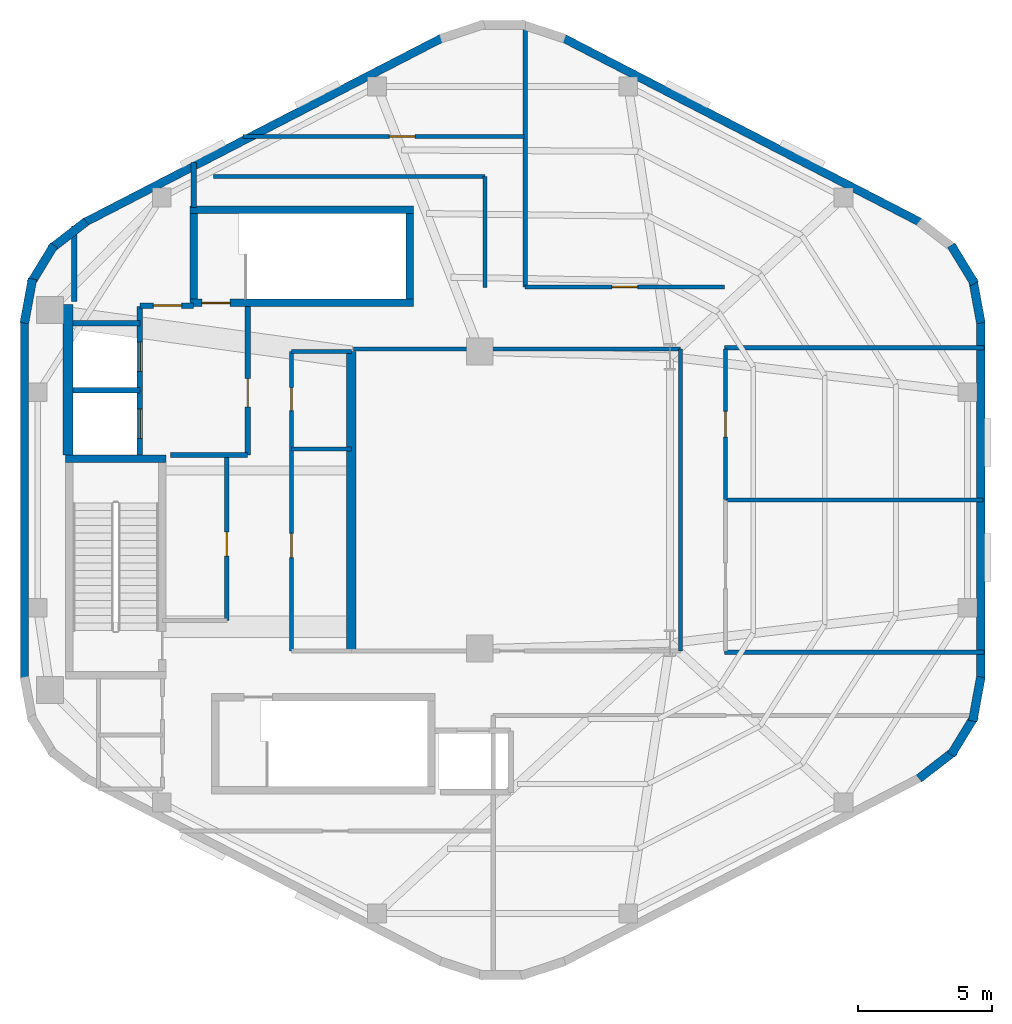
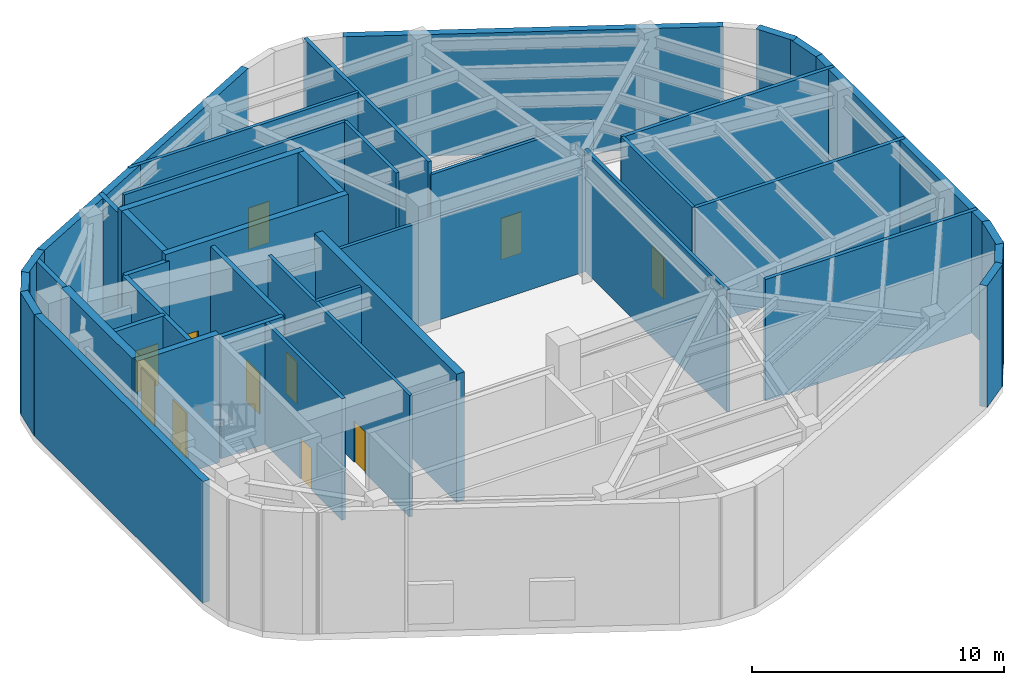
# One storey, part 3 of 5: 42 walls, 11 doors, 11 openings.
"""IFC4 building model written with IfcOpenShell, lengths in metres."""

from ifc_helpers import new_model, si_unit, direction, frame, frame_2d, origin, place, context, subcontext, project, spatial, rectangle, extrude, material, layer, layer_set, type_object, element, fill, save


model = new_model("IFC4")

# Units and contexts
model_context = context("Model", 3, precision=1e-05, world=origin(), true_north=direction((0.0, 1.0)))
body_context = subcontext(model_context, "Body", "Model", "MODEL_VIEW")
ifc_project = project(units=[si_unit("LENGTHUNIT", "METRE"), si_unit("AREAUNIT", "SQUARE_METRE"), si_unit("VOLUMEUNIT", "CUBIC_METRE"), si_unit("PLANEANGLEUNIT", "RADIAN"), si_unit("MASSUNIT", "GRAM", prefix="KILO"), si_unit("THERMODYNAMICTEMPERATUREUNIT", "KELVIN"), si_unit("POWERUNIT", "WATT")], contexts=[model_context])

# Site, building, storey
site_placement = place(None, origin())
site = spatial("IfcSite", under=ifc_project, at=site_placement, CompositionType="ELEMENT")
building_placement = place(site_placement, origin())
building = spatial("IfcBuilding", under=site, at=building_placement, Name="Skarre Station Tower", CompositionType="ELEMENT")
storey_placement = place(building_placement, frame((0.0, 0.0, 285.10009765625)))
storey = spatial("IfcBuildingStorey", under=building, at=storey_placement, Name="L77", CompositionType="ELEMENT", Elevation=285.10009765625)

# Wall, opening, door
ifc_material_1 = material(Name="Acoustic Steel-Stud Gypsum Partition", Category="steel")
ifc_layer_1 = layer(ifc_material_1, 0.14990234375, Name="Acoustic Steel-Stud Gypsum Partition")
ifc_layer_set_1 = layer_set([ifc_layer_1], Name="Acoustic Steel-Stud Gypsum Partition")
wall_type_1 = type_object("IfcWallType", Name="Fire-Rated Corridor Acoustic Partition 150", PredefinedType="PARTITIONING", material=ifc_layer_set_1)
wall_1_placement = place(storey_placement, frame((22.89990234375, 19.5, 0.0), z_axis=(0.0, 0.0, 1.0), x_axis=(0.0, 1.0, 0.0)))
wall_1 = element("IfcWall", 1, at=wall_1_placement, inside=storey, type_object=wall_type_1, Name="L77 Interior Partition WL-PT-L77-B3-E", PredefinedType="PARTITIONING", context=body_context, shape_type="SweptSolid", body=[
    extrude(rectangle(XDim=6.10009765625, YDim=0.159912109375, at=frame_2d((3.050048828125, 0.0))), origin(), (0.0, 0.0, 1.0), 5.8798828125),
])
opening_1_placement = place(wall_1_placement, frame((2.39990234375, 0.0, 0.0)))
opening_1 = element("IfcOpeningElement", 2, at=opening_1_placement, cuts=wall_1, Name="Opening DR-SVC90", PredefinedType="OPENING", context=body_context, shape_type="SweptSolid", body=[
    extrude(rectangle(XDim=0.89990234375, YDim=2.0, at=frame_2d((0.449951171875, 1.0))), frame((0.0, 0.08984375, 0.0), z_axis=(0.0, -1.0, 0.0), x_axis=(1.0, 0.0, 0.0)), (0.0, 0.0, 1.0), 0.179931640625),
])
ifc_material_2 = material(Name="Powder-Coated Hollow-Metal Acoustic Fire Leaf", Category="steel")
door_type_1 = type_object("IfcDoorType", Name="Service & Riser Fire Door FD60 900x2100", OperationType="SINGLE_SWING_LEFT", PredefinedType="DOOR", material=ifc_material_2)
door_1_placement = place(opening_1_placement, origin())
door_1 = element("IfcDoor", 3, at=door_1_placement, inside=storey, type_object=door_type_1, Name="L77 Observatory Pantry Door", OperationType="SINGLE_SWING_RIGHT", OverallHeight=2.0, OverallWidth=0.89990234375, PredefinedType="DOOR", context=body_context, shape_type="SweptSolid", body=[
    extrude(rectangle(XDim=0.89990234375, YDim=2.0, at=frame_2d((0.449951171875, 1.0))), frame((0.0, 0.02490234375, 0.0), z_axis=(0.0, -1.0, 0.0), x_axis=(1.0, 0.0, 0.0)), (0.0, 0.0, 1.0), 0.050048828125),
])
fill(opening_1, door_1)

# Wall
wall_2_placement = place(storey_placement, frame((25.320068359375, 25.89990234375, 0.0), z_axis=(0.0, 0.0, 1.0), x_axis=(1.0, 0.0, 0.0)))
element("IfcWall", 4, at=wall_2_placement, inside=storey, type_object=wall_type_1, Name="L77 Interior Partition WL-PT-L77-RC2-M", PredefinedType="PARTITIONING", context=body_context, shape_type="SweptSolid", body=[
    extrude(rectangle(XDim=2.22998046875, YDim=0.14990234375, at=frame_2d((1.114990234375, 0.0))), origin(), (0.0, 0.0, 1.0), 5.8798828125),
])

# Wall, openings, doors
wall_3_placement = place(storey_placement, frame((25.320068359375, 29.550048828125, 0.0), z_axis=(0.0, 0.0, 1.0), x_axis=(0.0, -1.0, 0.0)))
wall_3 = element("IfcWall", 5, at=wall_3_placement, inside=storey, type_object=wall_type_1, Name="L77 Interior Partition WL-PT-L77-RC2-W", PredefinedType="PARTITIONING", context=body_context, shape_type="SweptSolid", body=[
    extrude(rectangle(XDim=11.18994140625, YDim=0.14990234375, at=frame_2d((5.594970703125, 0.0))), origin(), (0.0, 0.0, 1.0), 5.8798828125),
])
opening_2_placement = place(wall_3_placement, frame((1.35009765625, 0.0, 0.0)))
opening_2 = element("IfcOpeningElement", 6, at=opening_2_placement, cuts=wall_3, Name="Opening DR-SVC86", PredefinedType="OPENING", context=body_context, shape_type="SweptSolid", body=[
    extrude(rectangle(XDim=0.860107421875, YDim=2.0, at=frame_2d((0.43017578125, 1.0))), frame((0.0, 0.0849609375, 0.0), z_axis=(0.0, -1.0, 0.0), x_axis=(1.0, 0.0, 0.0)), (0.0, 0.0, 1.0), 0.169921875),
])
opening_3_placement = place(wall_3_placement, frame((6.800048828125, 0.0, 0.0)))
opening_3 = element("IfcOpeningElement", 7, at=opening_3_placement, cuts=wall_3, Name="Opening DR-SVC90", PredefinedType="OPENING", context=body_context, shape_type="SweptSolid", body=[
    extrude(rectangle(XDim=0.89990234375, YDim=2.0, at=frame_2d((0.449951171875, 1.0))), frame((0.0, 0.0849609375, 0.0), z_axis=(0.0, -1.0, 0.0), x_axis=(1.0, 0.0, 0.0)), (0.0, 0.0, 1.0), 0.169921875),
])
door_type_2 = type_object("IfcDoorType", Name="Compact Riser Fire Door FD60 860x2100", OperationType="SINGLE_SWING_LEFT", PredefinedType="DOOR", material=ifc_material_2)
door_2_placement = place(opening_2_placement, origin())
door_2 = element("IfcDoor", 8, at=door_2_placement, inside=storey, type_object=door_type_2, Name="L77 Housekeeping Room Door", OperationType="SINGLE_SWING_LEFT", OverallHeight=2.0, OverallWidth=0.860107421875, PredefinedType="DOOR", context=body_context, shape_type="SweptSolid", body=[
    extrude(rectangle(XDim=0.860107421875, YDim=2.0, at=frame_2d((0.43017578125, 1.0))), frame((0.0, 0.02490234375, 0.0), z_axis=(0.0, -1.0, 0.0), x_axis=(1.0, 0.0, 0.0)), (0.0, 0.0, 1.0), 0.050048828125),
])
fill(opening_2, door_2)
door_3_placement = place(opening_3_placement, origin())
door_3 = element("IfcDoor", 9, at=door_3_placement, inside=storey, type_object=door_type_1, Name="L77 Tasting Pantry Door", OperationType="SINGLE_SWING_LEFT", OverallHeight=2.0, OverallWidth=0.89990234375, PredefinedType="DOOR", context=body_context, shape_type="SweptSolid", body=[
    extrude(rectangle(XDim=0.89990234375, YDim=2.0, at=frame_2d((0.449951171875, 1.0))), frame((0.0, 0.02490234375, 0.0), z_axis=(0.0, -1.0, 0.0), x_axis=(1.0, 0.0, 0.0)), (0.0, 0.0, 1.0), 0.050048828125),
])
fill(opening_3, door_3)

# Walls
wall_4_placement = place(storey_placement, frame((27.550048828125, 29.550048828125, 0.0), z_axis=(0.0, 0.0, 1.0), x_axis=(-1.0, 0.0, 0.0)))
element("IfcWall", 10, at=wall_4_placement, inside=storey, type_object=wall_type_1, Name="L77 Interior Partition WL-PT-L77-RC2-N", PredefinedType="PARTITIONING", context=body_context, shape_type="SweptSolid", body=[
    extrude(rectangle(XDim=2.22998046875, YDim=0.14990234375, at=frame_2d((1.114990234375, 0.0))), origin(), (0.0, 0.0, 1.0), 4.77978515625),
])
wall_5_placement = place(storey_placement, frame((39.840087890625, 29.639892578125, 0.0), z_axis=(0.0, 0.0, 1.0), x_axis=(-1.0, 0.0, 0.0)))
element("IfcWall", 11, at=wall_5_placement, inside=storey, type_object=wall_type_1, Name="L77 Interior Partition WL-PT-L77-ATRW-N", PredefinedType="PARTITIONING", context=body_context, shape_type="SweptSolid", body=[
    extrude(rectangle(XDim=12.203125, YDim=0.14990234375, at=frame_2d((6.1015625, 0.0))), origin(), (0.0, 0.0, 1.0), 5.02099609375),
])
wall_6_placement = place(storey_placement, frame((39.840087890625, 18.360107421875, 0.0), z_axis=(0.0, 0.0, 1.0), x_axis=(0.0, 1.0, 0.0)))
element("IfcWall", 12, at=wall_6_placement, inside=storey, type_object=wall_type_1, Name="L77 Interior Partition WL-PT-L77-ATRW-E", PredefinedType="PARTITIONING", context=body_context, shape_type="SweptSolid", body=[
    extrude(rectangle(XDim=11.27978515625, YDim=0.14990234375, at=frame_2d((5.639892578125, 0.0))), origin(), (0.0, 0.0, 1.0), 5.8798828125),
])

# Wall, opening, door
wall_7_placement = place(storey_placement, frame((34.0, 37.580078125, 0.0), z_axis=(0.0, 0.0, 1.0), x_axis=(-1.0, 0.0, 0.0)))
wall_7 = element("IfcWall", 13, at=wall_7_placement, inside=storey, type_object=wall_type_1, Name="L77 Interior Partition WL-PT-L77-PLTNW1-CW", PredefinedType="PARTITIONING", context=body_context, shape_type="SweptSolid", body=[
    extrude(rectangle(XDim=10.5009765625, YDim=0.14990234375, at=frame_2d((5.25048828125, 0.0))), origin(), (0.0, 0.0, 1.0), 5.8798828125),
])
opening_4_placement = place(wall_7_placement, frame((4.070068359375, 0.0, 0.0)))
opening_4 = element("IfcOpeningElement", 14, at=opening_4_placement, cuts=wall_7, Name="Opening DR-FD60", PredefinedType="OPENING", context=body_context, shape_type="SweptSolid", body=[
    extrude(rectangle(XDim=0.9599609375, YDim=2.0, at=frame_2d((0.47998046875, 1.0))), frame((0.0, 0.0849609375, 0.0), z_axis=(0.0, -1.0, 0.0), x_axis=(1.0, 0.0, 0.0)), (0.0, 0.0, 1.0), 0.169921875),
])
ifc_material_3 = material(Name="Nordic White-Oak Veneer Solid-Core Fire Leaf", Category="wood")
door_type_3 = type_object("IfcDoorType", Name="Corridor Suite Entry Fire Door FD60 960x2150", OperationType="SINGLE_SWING_LEFT", PredefinedType="DOOR", material=ifc_material_3)
door_4_placement = place(opening_4_placement, origin())
door_4 = element("IfcDoor", 15, at=door_4_placement, inside=storey, type_object=door_type_3, Name="L77 PLTNW1 Entry Door", OperationType="SINGLE_SWING_LEFT", OverallHeight=2.0, OverallWidth=0.9599609375, PredefinedType="DOOR", context=body_context, shape_type="SweptSolid", body=[
    extrude(rectangle(XDim=0.9599609375, YDim=2.0, at=frame_2d((0.47998046875, 1.0))), frame((0.0, 0.02490234375, 0.0), z_axis=(0.0, -1.0, 0.0), x_axis=(1.0, 0.0, 0.0)), (0.0, 0.0, 1.0), 0.050048828125),
])
fill(opening_4, door_4)

wall_8_placement = place(storey_placement, frame((41.47998046875, 31.9599609375, 0.0), z_axis=(0.0, 0.0, 1.0), x_axis=(-1.0, 0.0, 0.0)))
wall_8 = element("IfcWall", 16, at=wall_8_placement, inside=storey, type_object=wall_type_1, Name="L77 Interior Partition WL-PT-L77-PLTN1-CW", PredefinedType="PARTITIONING", context=body_context, shape_type="SweptSolid", body=[
    extrude(rectangle(XDim=7.43994140625, YDim=0.14990234375, at=frame_2d((3.719970703125, 0.0))), origin(), (0.0, 0.0, 1.0), 5.27197265625),
])
opening_5_placement = place(wall_8_placement, frame((3.239990234375, 0.0, 0.0)))
opening_5 = element("IfcOpeningElement", 17, at=opening_5_placement, cuts=wall_8, Name="Opening DR-FD60", PredefinedType="OPENING", context=body_context, shape_type="SweptSolid", body=[
    extrude(rectangle(XDim=0.9599609375, YDim=2.0, at=frame_2d((0.47998046875, 1.0))), frame((0.0, 0.0849609375, 0.0), z_axis=(0.0, -1.0, 0.0), x_axis=(1.0, 0.0, 0.0)), (0.0, 0.0, 1.0), 0.169921875),
])
door_5_placement = place(opening_5_placement, origin())
door_5 = element("IfcDoor", 18, at=door_5_placement, inside=storey, type_object=door_type_3, Name="L77 PLTN1 Entry Door", OperationType="SINGLE_SWING_LEFT", OverallHeight=2.0, OverallWidth=0.9599609375, PredefinedType="DOOR", context=body_context, shape_type="SweptSolid", body=[
    extrude(rectangle(XDim=0.9599609375, YDim=2.0, at=frame_2d((0.47998046875, 1.0))), frame((0.0, 0.02490234375, 0.0), z_axis=(0.0, -1.0, 0.0), x_axis=(1.0, 0.0, 0.0)), (0.0, 0.0, 1.0), 0.050048828125),
])
fill(opening_5, door_5)

wall_9_placement = place(storey_placement, frame((41.52001953125, 24.01806640625, 0.0), z_axis=(0.0, 0.0, 1.0), x_axis=(0.0, 1.0, 0.0)))
wall_9 = element("IfcWall", 19, at=wall_9_placement, inside=storey, type_object=wall_type_1, Name="L77 Interior Partition WL-PT-L77-PLTE2-CW", PredefinedType="PARTITIONING", context=body_context, shape_type="SweptSolid", body=[
    extrude(rectangle(XDim=5.621826171875, YDim=0.14990234375, at=frame_2d((2.81103515625, 0.0))), origin(), (0.0, 0.0, 1.0), 5.8798828125),
])
opening_6_placement = place(wall_9_placement, frame((2.3310546875, 0.0, 0.0)))
opening_6 = element("IfcOpeningElement", 20, at=opening_6_placement, cuts=wall_9, Name="Opening DR-FD60", PredefinedType="OPENING", context=body_context, shape_type="SweptSolid", body=[
    extrude(rectangle(XDim=0.9599609375, YDim=2.0, at=frame_2d((0.47998046875, 1.0))), frame((0.0, 0.0849609375, 0.0), z_axis=(0.0, -1.0, 0.0), x_axis=(1.0, 0.0, 0.0)), (0.0, 0.0, 1.0), 0.169921875),
])
door_6_placement = place(opening_6_placement, origin())
door_6 = element("IfcDoor", 21, at=door_6_placement, inside=storey, type_object=door_type_3, Name="L77 PLTE2 Entry Door", OperationType="SINGLE_SWING_LEFT", OverallHeight=2.0, OverallWidth=0.9599609375, PredefinedType="DOOR", context=body_context, shape_type="SweptSolid", body=[
    extrude(rectangle(XDim=0.9599609375, YDim=2.0, at=frame_2d((0.47998046875, 1.0))), frame((0.0, 0.02490234375, 0.0), z_axis=(0.0, -1.0, 0.0), x_axis=(1.0, 0.0, 0.0)), (0.0, 0.0, 1.0), 0.050048828125),
])
fill(opening_6, door_6)

# Walls
wall_10_placement = place(storey_placement, frame((32.550048828125, 31.93994140625, 0.0), z_axis=(0.0, 0.0, 1.0), x_axis=(0.0, 1.0, 0.0)))
element("IfcWall", 22, at=wall_10_placement, inside=storey, type_object=wall_type_1, Name="L77 Interior Partition WL-PT-L77-CSEAL-1", PredefinedType="PARTITIONING", context=body_context, shape_type="SweptSolid", body=[
    extrude(rectangle(XDim=4.14013671875, YDim=0.14990234375, at=frame_2d((2.070068359375, 0.0))), origin(), (0.0, 0.0, 1.0), 5.8798828125),
])
wall_11_placement = place(storey_placement, frame((32.550048828125, 36.080078125, 0.0), z_axis=(0.0, 0.0, 1.0), x_axis=(-1.0, 0.0, 0.0)))
element("IfcWall", 23, at=wall_11_placement, inside=storey, type_object=wall_type_1, Name="L77 Interior Partition WL-PT-L77-CSEAL-2", PredefinedType="PARTITIONING", context=body_context, shape_type="SweptSolid", body=[
    extrude(rectangle(XDim=10.150146484375, YDim=0.14990234375, at=frame_2d((5.0751953125, 0.0))), origin(), (0.0, 0.0, 1.0), 5.8798828125),
])
ifc_material_4 = material(Name="Precast concrete C45/55", Category="concrete")
ifc_layer_2 = layer(ifc_material_4, 0.330078125, Name="Precast concrete C45/55")
ifc_layer_set_2 = layer_set([ifc_layer_2], Name="Precast concrete C45/55")
wall_type_2 = type_object("IfcWallType", Name="Nordic Rounded Corner Precast Wall 330", PredefinedType="STANDARD", material=ifc_layer_set_2)
wall_12_placement = place(storey_placement, frame((49.952880859375, 33.514892578125, 0.0), z_axis=(0.0, 0.0, 1.0), x_axis=(0.520325409202, -0.853968072318, 0.0)))
element("IfcWall", 24, at=wall_12_placement, inside=storey, type_object=wall_type_2, Name="L77 Rounded Corner Precast Wall F0-2", PredefinedType="STANDARD", context=body_context, shape_type="SweptSolid", body=[
    extrude(rectangle(XDim=1.677978515625, YDim=0.330078125, at=frame_2d((0.8388671875, 0.0))), origin(), (0.0, 0.0, 1.0), 5.8798828125),
])
for number, where, z_axis, x_axis, name in (
    (25, (50.759033203125, 32.257080078125, 0.0), (0.0, 0.0, 1.0), (0.180691763044, -0.983539773862, 0.0), "L77 Rounded Corner Precast Wall F0-3"),
    (26, (15.337890625, 30.60791015625, 0.0), (0.0, 0.0, 1.0), (0.180832605401, 0.983513888475, 0.0), "L77 Rounded Corner Precast Wall F2-1"),
):
    element("IfcWall", number, at=place(storey_placement, frame(where, z_axis=z_axis, x_axis=x_axis)), inside=storey, type_object=wall_type_2, Name=name, PredefinedType="STANDARD", context=body_context, shape_type="SweptSolid", body=[
        extrude(rectangle(XDim=1.6767578125, YDim=0.330078125, at=frame_2d((0.83837890625, 0.0))), origin(), (0.0, 0.0, 1.0), 5.8798828125),
    ])
wall_13_placement = place(storey_placement, frame((15.573974609375, 32.08203125, 0.0), z_axis=(0.0, 0.0, 1.0), x_axis=(0.520325409202, 0.853968072318, 0.0)))
element("IfcWall", 27, at=wall_13_placement, inside=storey, type_object=wall_type_2, Name="L77 Rounded Corner Precast Wall F2-2", PredefinedType="STANDARD", context=body_context, shape_type="SweptSolid", body=[
    extrude(rectangle(XDim=1.677978515625, YDim=0.330078125, at=frame_2d((0.8388671875, 0.0))), origin(), (0.0, 0.0, 1.0), 5.8798828125),
])
wall_14_placement = place(storey_placement, frame((16.322021484375, 33.375, 0.0), z_axis=(0.0, 0.0, 1.0), x_axis=(0.790691856293, 0.61221433207, 0.0)))
element("IfcWall", 28, at=wall_14_placement, inside=storey, type_object=wall_type_2, Name="L77 Rounded Corner Precast Wall F2-3", PredefinedType="STANDARD", context=body_context, shape_type="SweptSolid", body=[
    extrude(rectangle(XDim=1.67578125, YDim=0.330078125, at=frame_2d((0.837890625, 0.0))), origin(), (0.0, 0.0, 1.0), 5.8798828125),
])
wall_15_placement = place(storey_placement, frame((51.06201171875, 17.39208984375, 0.0), z_axis=(0.0, 0.0, 1.0), x_axis=(-0.180691763044, -0.983539773862, 0.0)))
element("IfcWall", 29, at=wall_15_placement, inside=storey, type_object=wall_type_2, Name="L77 Rounded Corner Precast Wall F5-1", PredefinedType="STANDARD", context=body_context, shape_type="SweptSolid", body=[
    extrude(rectangle(XDim=1.6767578125, YDim=0.330078125, at=frame_2d((0.83837890625, 0.0))), origin(), (0.0, 0.0, 1.0), 5.8798828125),
])
wall_16_placement = place(storey_placement, frame((50.825927734375, 15.91796875, 0.0), z_axis=(0.0, 0.0, 1.0), x_axis=(-0.520325409202, -0.853968072318, 0.0)))
element("IfcWall", 30, at=wall_16_placement, inside=storey, type_object=wall_type_2, Name="L77 Rounded Corner Precast Wall F5-2", PredefinedType="STANDARD", context=body_context, shape_type="SweptSolid", body=[
    extrude(rectangle(XDim=1.677978515625, YDim=0.330078125, at=frame_2d((0.8388671875, 0.0))), origin(), (0.0, 0.0, 1.0), 5.8798828125),
])
wall_17_placement = place(storey_placement, frame((50.077880859375, 14.625, 0.0), z_axis=(0.0, 0.0, 1.0), x_axis=(-0.790691856293, -0.61221433207, 0.0)))
element("IfcWall", 31, at=wall_17_placement, inside=storey, type_object=wall_type_2, Name="L77 Rounded Corner Precast Wall F5-3", PredefinedType="STANDARD", context=body_context, shape_type="SweptSolid", body=[
    extrude(rectangle(XDim=1.67578125, YDim=0.330078125, at=frame_2d((0.837890625, 0.0))), origin(), (0.0, 0.0, 1.0), 5.8798828125),
])
ifc_layer_3 = layer(ifc_material_4, 0.31005859375, Name="Precast concrete C45/55")
ifc_layer_set_3 = layer_set([ifc_layer_3], Name="Precast concrete C45/55")
wall_type_3 = type_object("IfcWallType", Name="Nordic Upper-Zone Precast Facet Wall 310", PredefinedType="STANDARD", material=ifc_layer_set_3)
for number, where, z_axis, x_axis, name in (
    (32, (35.43701171875, 41.27001953125, 0.0), (0.0, 0.0, 1.0), (0.888581481622, -0.458718814218, 0.0), "L77 Facet 0 Nordic Precast Masonry Wall"),
    (33, (17.56591796875, 34.35400390625, 0.0), (0.0, 0.0, 1.0), (0.888581481622, 0.458718814218, 0.0), "L77 Facet 1 Nordic Precast Masonry Wall"),
):
    element("IfcWall", number, at=place(storey_placement, frame(where, z_axis=z_axis, x_axis=x_axis)), inside=storey, type_object=wall_type_3, Name=name, PredefinedType="STANDARD", context=body_context, shape_type="SweptSolid", body=[
        extrude(rectangle(XDim=15.076904296875, YDim=0.31005859375, at=frame_2d((7.53857421875, 0.0))), origin(), (0.0, 0.0, 1.0), 5.8798828125),
    ])
for number, where, z_axis, x_axis, name in (
    (34, (15.342041015625, 17.298095703125, 0.0), (0.0, 0.0, 1.0), (0.0, 1.0, 0.0), "L77 Facet 2 Nordic Precast Masonry Wall"),
    (35, (51.05810546875, 30.701904296875, 0.0), (0.0, 0.0, 1.0), (0.0, -1.0, 0.0), "L77 Facet 5 Nordic Precast Masonry Wall"),
):
    element("IfcWall", number, at=place(storey_placement, frame(where, z_axis=z_axis, x_axis=x_axis)), inside=storey, type_object=wall_type_3, Name=name, PredefinedType="STANDARD", context=body_context, shape_type="SweptSolid", body=[
        extrude(rectangle(XDim=13.40380859375, YDim=0.31005859375, at=frame_2d((6.701904296875, 0.0))), origin(), (0.0, 0.0, 1.0), 5.8798828125),
    ])
ifc_material_5 = material(Name="Concrete C50/60", Category="concrete")
ifc_layer_4 = layer(ifc_material_5, 0.280029296875, Name="Concrete C50/60")
ifc_layer_set_4 = layer_set([ifc_layer_4], Name="Concrete C50/60")
wall_type_4 = type_object("IfcWallType", Name="RC Core Shear Wall 280", PredefinedType="SHEAR", material=ifc_layer_set_4)
wall_18_placement = place(storey_placement, frame((20.6298828125, 25.5400390625, 0.0), z_axis=(0.0, 0.0, 1.0), x_axis=(-1.0, 0.0, 0.0)))
element("IfcWall", 36, at=wall_18_placement, inside=storey, type_object=wall_type_4, Name="L77 Stair ST-1 North Shear Wall", PredefinedType="SHEAR", context=body_context, shape_type="SweptSolid", body=[
    extrude(rectangle(XDim=3.759765625, YDim=0.280029296875, at=frame_2d((1.8798828125, 0.0))), origin(), (0.0, 0.0, 1.0), 6.199951171875),
])

# Wall, opening, door
wall_19_placement = place(storey_placement, frame((21.52001953125, 31.360107421875, 0.0), z_axis=(0.0, 0.0, 1.0), x_axis=(1.0, 0.0, 0.0)))
wall_19 = element("IfcWall", 37, at=wall_19_placement, inside=storey, type_object=wall_type_4, Name="L77 Stair ST-3 South Shear Wall", PredefinedType="SHEAR", context=body_context, shape_type="SweptSolid", body=[
    extrude(rectangle(XDim=8.35986328125, YDim=0.280029296875, at=frame_2d((4.179931640625, 0.0))), origin(), (0.0, 0.0, 1.0), 6.199951171875),
])
opening_7_placement = place(wall_19_placement, frame((0.449951171875, 0.0, 0.0)))
opening_7 = element("IfcOpeningElement", 38, at=opening_7_placement, cuts=wall_19, Name="Opening DR-FD90", PredefinedType="OPENING", context=body_context, shape_type="SweptSolid", body=[
    extrude(rectangle(XDim=1.050048828125, YDim=2.0, at=frame_2d((0.52490234375, 1.0))), frame((0.0, 0.14990234375, 0.0), z_axis=(0.0, -1.0, 0.0), x_axis=(1.0, 0.0, 0.0)), (0.0, 0.0, 1.0), 0.300048828125),
])
ifc_material_6 = material(Name="Fire-Rated Insulated Steel Frame & Timber Core Leaf", Category="steel")
door_type_4 = type_object("IfcDoorType", Name="Stair & FSAE Lobby Fire Door FD90 1050x2150", OperationType="SINGLE_SWING_RIGHT", PredefinedType="DOOR", material=ifc_material_6)
door_7_placement = place(opening_7_placement, origin())
door_7 = element("IfcDoor", 39, at=door_7_placement, inside=storey, type_object=door_type_4, Name="L77 Stair ST-3 & FSAE Lobby Direct Exit Door", OperationType="SINGLE_SWING_LEFT", OverallHeight=2.0, OverallWidth=1.050048828125, PredefinedType="DOOR", context=body_context, shape_type="SweptSolid", body=[
    extrude(rectangle(XDim=1.050048828125, YDim=2.0, at=frame_2d((0.52490234375, 1.0))), frame((0.0, 0.02490234375, 0.0), z_axis=(0.0, -1.0, 0.0), x_axis=(1.0, 0.0, 0.0)), (0.0, 0.0, 1.0), 0.050048828125),
])
fill(opening_7, door_7)

# Walls
wall_20_placement = place(storey_placement, frame((29.8798828125, 34.840087890625, 0.0), z_axis=(0.0, 0.0, 1.0), x_axis=(-1.0, 0.0, 0.0)))
element("IfcWall", 40, at=wall_20_placement, inside=storey, type_object=wall_type_4, Name="L77 Stair ST-3 North Shear Wall", PredefinedType="SHEAR", context=body_context, shape_type="SweptSolid", body=[
    extrude(rectangle(XDim=8.35986328125, YDim=0.280029296875, at=frame_2d((4.179931640625, 0.0))), origin(), (0.0, 0.0, 1.0), 6.199951171875),
])
for number, where, z_axis, x_axis, name in (
    (41, (21.659912109375, 34.699951171875, 0.0), (0.0, 0.0, 1.0), (0.0, -1.0, 0.0), "L77 Stair ST-3 West Shear Wall"),
    (42, (29.739990234375, 31.5, 0.0), (0.0, 0.0, 1.0), (0.0, 1.0, 0.0), "L77 Stair ST-3 East Shear Wall"),
):
    element("IfcWall", number, at=place(storey_placement, frame(where, z_axis=z_axis, x_axis=x_axis)), inside=storey, type_object=wall_type_4, Name=name, PredefinedType="SHEAR", context=body_context, shape_type="SweptSolid", body=[
        extrude(rectangle(XDim=3.199951171875, YDim=0.280029296875, at=frame_2d((1.60009765625, 0.0))), origin(), (0.0, 0.0, 1.0), 6.199951171875),
    ])
ifc_layer_5 = layer(ifc_material_5, 0.360107421875, Name="Concrete C50/60")
ifc_layer_set_5 = layer_set([ifc_layer_5], Name="Concrete C50/60")
wall_type_5 = type_object("IfcWallType", Name="RC Core Shear Wall 360", PredefinedType="SHEAR", material=ifc_layer_set_5)
wall_21_placement = place(storey_placement, frame((16.969970703125, 25.679931640625, 0.0), z_axis=(0.0, 0.0, 1.0), x_axis=(0.0, 1.0, 0.0)))
element("IfcWall", 43, at=wall_21_placement, inside=storey, type_object=wall_type_5, Name="L77 Core West-North Shear Wall", PredefinedType="SHEAR", context=body_context, shape_type="SweptSolid", body=[
    extrude(rectangle(XDim=5.6201171875, YDim=0.360107421875, at=frame_2d((2.81005859375, 0.0))), origin(), (0.0, 0.0, 1.0), 6.199951171875),
])
wall_22_placement = place(storey_placement, frame((27.550048828125, 29.550048828125, 0.0), z_axis=(0.0, 0.0, 1.0), x_axis=(0.0, -1.0, 0.0)))
element("IfcWall", 44, at=wall_22_placement, inside=storey, type_object=wall_type_5, Name="L77 Core East Atrium Shear Wall", PredefinedType="SHEAR", context=body_context, shape_type="SweptSolid", body=[
    extrude(rectangle(XDim=11.25, YDim=0.360107421875, at=frame_2d((5.625, 0.0))), origin(), (0.0, 0.0, 1.0), 6.199951171875),
])

# Wall, openings, doors
ifc_material_7 = material(Name="Gypsum Concrete Shaft Assembly C30/37", Category="concrete")
ifc_layer_6 = layer(ifc_material_7, 0.199951171875, Name="Gypsum Concrete Shaft Assembly C30/37")
ifc_layer_set_6 = layer_set([ifc_layer_6], Name="Gypsum Concrete Shaft Assembly C30/37")
wall_type_6 = type_object("IfcWallType", Name="Shaft & Core Fire Partition 200", PredefinedType="PARTITIONING", material=ifc_layer_set_6)
wall_23_placement = place(storey_placement, frame((19.64990234375, 25.679931640625, 0.0), z_axis=(0.0, 0.0, 1.0), x_axis=(0.0, 1.0, 0.0)))
wall_23 = element("IfcWall", 45, at=wall_23_placement, inside=storey, type_object=wall_type_6, Name="L77 Interior Partition WL-PT-L77-FSAE-W", PredefinedType="PARTITIONING", context=body_context, shape_type="SweptSolid", body=[
    extrude(rectangle(XDim=5.5400390625, YDim=0.199951171875, at=frame_2d((2.77001953125, 0.0))), origin(), (0.0, 0.0, 1.0), 5.8798828125),
])
opening_8_placement = place(wall_23_placement, frame((0.6201171875, 0.0, 0.0)))
opening_8 = element("IfcOpeningElement", 46, at=opening_8_placement, cuts=wall_23, Name="Opening LD-FF1", PredefinedType="OPENING", context=body_context, shape_type="SweptSolid", body=[
    extrude(rectangle(XDim=1.10009765625, YDim=2.199951171875, at=frame_2d((0.550048828125, 1.10009765625))), frame((0.0, 0.10986328125, 0.0), z_axis=(0.0, -1.0, 0.0), x_axis=(1.0, 0.0, 0.0)), (0.0, 0.0, 1.0), 0.219970703125),
])
opening_9_placement = place(wall_23_placement, frame((3.1201171875, 0.0, 0.0)))
opening_9 = element("IfcOpeningElement", 47, at=opening_9_placement, cuts=wall_23, Name="Opening LD-FF2", PredefinedType="OPENING", context=body_context, shape_type="SweptSolid", body=[
    extrude(rectangle(XDim=1.10009765625, YDim=2.199951171875, at=frame_2d((0.550048828125, 1.10009765625))), frame((0.0, 0.10986328125, 0.0), z_axis=(0.0, -1.0, 0.0), x_axis=(1.0, 0.0, 0.0)), (0.0, 0.0, 1.0), 0.219970703125),
])
ifc_material_8 = material(Name="Fire-Rated Stainless Steel Grade 316L Sliding Leaves", Category="steel")
door_type_5 = type_object("IfcDoorType", Name="Fire Service Access Elevator Sliding Landing Door 1100x2200", OperationType="SLIDING_TO_LEFT", PredefinedType="DOOR", material=ifc_material_8)
door_8_placement = place(opening_8_placement, origin())
door_8 = element("IfcDoor", 48, at=door_8_placement, inside=storey, type_object=door_type_5, Name="L77 Firefighting Lift LF-FF1 Landing Door", OperationType="SLIDING_TO_LEFT", OverallHeight=2.199951171875, OverallWidth=1.10009765625, PredefinedType="DOOR", context=body_context, shape_type="SweptSolid", body=[
    extrude(rectangle(XDim=1.10009765625, YDim=2.199951171875, at=frame_2d((0.550048828125, 1.10009765625))), frame((0.0, 0.02490234375, 0.0), z_axis=(0.0, -1.0, 0.0), x_axis=(1.0, 0.0, 0.0)), (0.0, 0.0, 1.0), 0.050048828125),
])
fill(opening_8, door_8)
door_9_placement = place(opening_9_placement, origin())
door_9 = element("IfcDoor", 49, at=door_9_placement, inside=storey, type_object=door_type_5, Name="L77 Firefighting Lift LF-FF2 Landing Door", OperationType="SLIDING_TO_LEFT", OverallHeight=2.199951171875, OverallWidth=1.10009765625, PredefinedType="DOOR", context=body_context, shape_type="SweptSolid", body=[
    extrude(rectangle(XDim=1.10009765625, YDim=2.199951171875, at=frame_2d((0.550048828125, 1.10009765625))), frame((0.0, 0.02490234375, 0.0), z_axis=(0.0, -1.0, 0.0), x_axis=(1.0, 0.0, 0.0)), (0.0, 0.0, 1.0), 0.050048828125),
])
fill(opening_9, door_9)

# Wall
wall_24_placement = place(storey_placement, frame((20.79296875, 25.679931640625, 0.0), z_axis=(0.0, 0.0, 1.0), x_axis=(1.0, 0.0, 0.0)))
element("IfcWall", 50, at=wall_24_placement, inside=storey, type_object=wall_type_6, Name="L77 Interior Partition WL-PT-L77-FSAE-S", PredefinedType="PARTITIONING", context=body_context, shape_type="SweptSolid", body=[
    extrude(rectangle(XDim=2.886962890625, YDim=0.199951171875, at=frame_2d((1.443359375, 0.0))), origin(), (0.0, 0.0, 1.0), 5.8798828125),
])

# Wall, opening, door
wall_25_placement = place(storey_placement, frame((23.679931640625, 25.679931640625, 0.0), z_axis=(0.0, 0.0, 1.0), x_axis=(0.0, 1.0, 0.0)))
wall_25 = element("IfcWall", 51, at=wall_25_placement, inside=storey, type_object=wall_type_6, Name="L77 Interior Partition WL-PT-L77-FSAE-E", PredefinedType="PARTITIONING", context=body_context, shape_type="SweptSolid", body=[
    extrude(rectangle(XDim=5.5400390625, YDim=0.199951171875, at=frame_2d((2.77001953125, 0.0))), origin(), (0.0, 0.0, 1.0), 5.8798828125),
])
opening_10_placement = place(wall_25_placement, frame((1.800048828125, 0.0, 0.0)))
opening_10 = element("IfcOpeningElement", 52, at=opening_10_placement, cuts=wall_25, Name="Opening DR-FD90", PredefinedType="OPENING", context=body_context, shape_type="SweptSolid", body=[
    extrude(rectangle(XDim=1.050048828125, YDim=2.0, at=frame_2d((0.52490234375, 1.0))), frame((0.0, 0.10986328125, 0.0), z_axis=(0.0, -1.0, 0.0), x_axis=(1.0, 0.0, 0.0)), (0.0, 0.0, 1.0), 0.219970703125),
])
door_10_placement = place(opening_10_placement, origin())
door_10 = element("IfcDoor", 53, at=door_10_placement, inside=storey, type_object=door_type_4, Name="L77 FSAE Lobby Fire Door", OperationType="SINGLE_SWING_RIGHT", OverallHeight=2.0, OverallWidth=1.050048828125, PredefinedType="DOOR", context=body_context, shape_type="SweptSolid", body=[
    extrude(rectangle(XDim=1.050048828125, YDim=2.0, at=frame_2d((0.52490234375, 1.0))), frame((0.0, 0.02490234375, 0.0), z_axis=(0.0, -1.0, 0.0), x_axis=(1.0, 0.0, 0.0)), (0.0, 0.0, 1.0), 0.050048828125),
])
fill(opening_10, door_10)

wall_26_placement = place(storey_placement, frame((21.659912109375, 31.260009765625, 0.0), z_axis=(0.0, 0.0, 1.0), x_axis=(-1.0, 0.0, 0.0)))
wall_26 = element("IfcWall", 54, at=wall_26_placement, inside=storey, type_object=wall_type_6, Name="L77 Interior Partition WL-PT-L77-FSAE-N", PredefinedType="PARTITIONING", context=body_context, shape_type="SweptSolid", body=[
    extrude(rectangle(XDim=2.010009765625, YDim=0.199951171875, at=frame_2d((1.0048828125, 0.0))), origin(), (0.0, 0.0, 1.0), 5.8798828125),
])
opening_11_placement = place(wall_26_placement, frame((0.449951171875, 0.0, 0.0)))
opening_11 = element("IfcOpeningElement", 55, at=opening_11_placement, cuts=wall_26, Name="Opening DR-FD90", PredefinedType="OPENING", context=body_context, shape_type="SweptSolid", body=[
    extrude(rectangle(XDim=1.050048828125, YDim=2.0, at=frame_2d((0.52490234375, 1.0))), frame((0.0, 0.10986328125, 0.0), z_axis=(0.0, -1.0, 0.0), x_axis=(1.0, 0.0, 0.0)), (0.0, 0.0, 1.0), 0.219970703125),
])
door_11_placement = place(opening_11_placement, origin())
door_11 = element("IfcDoor", 56, at=door_11_placement, inside=storey, type_object=door_type_4, Name="L77 Area of Refuge Direct Stair Lobby Door", OperationType="SINGLE_SWING_LEFT", OverallHeight=2.0, OverallWidth=1.050048828125, PredefinedType="DOOR", context=body_context, shape_type="SweptSolid", body=[
    extrude(rectangle(XDim=1.050048828125, YDim=2.0, at=frame_2d((0.52490234375, 1.0))), frame((0.0, 0.02490234375, 0.0), z_axis=(0.0, -1.0, 0.0), x_axis=(1.0, 0.0, 0.0)), (0.0, 0.0, 1.0), 0.050048828125),
])
fill(opening_11, door_11)

# Walls
wall_27_placement = place(storey_placement, frame((17.14990234375, 28.10009765625, 0.0), z_axis=(0.0, 0.0, 1.0), x_axis=(1.0, 0.0, 0.0)))
element("IfcWall", 57, at=wall_27_placement, inside=storey, type_object=wall_type_6, Name="L77 Interior Partition WL-PT-L77-FF-DIV", PredefinedType="PARTITIONING", context=body_context, shape_type="SweptSolid", body=[
    extrude(rectangle(XDim=2.5, YDim=0.199951171875, at=frame_2d((1.25, 0.0))), origin(), (0.0, 0.0, 1.0), 5.8798828125),
])
wall_28_placement = place(storey_placement, frame((19.64990234375, 30.60009765625, 0.0), z_axis=(0.0, 0.0, 1.0), x_axis=(-1.0, 0.0, 0.0)))
element("IfcWall", 58, at=wall_28_placement, inside=storey, type_object=wall_type_6, Name="L77 Interior Partition WL-PT-L77-FF-N", PredefinedType="PARTITIONING", context=body_context, shape_type="SweptSolid", body=[
    extrude(rectangle(XDim=2.5, YDim=0.199951171875, at=frame_2d((1.25, 0.0))), origin(), (0.0, 0.0, 1.0), 4.77978515625),
])
wall_29_placement = place(storey_placement, frame((17.199951171875, 34.22607421875, 0.0), z_axis=(0.0, 0.0, 1.0), x_axis=(0.0, -1.0, 0.0)))
element("IfcWall", 59, at=wall_29_placement, inside=storey, type_object=wall_type_6, Name="L77 Interior Partition WL-PT-L77-REF-W", PredefinedType="PARTITIONING", context=body_context, shape_type="SweptSolid", body=[
    extrude(rectangle(XDim=2.817138671875, YDim=0.199951171875, at=frame_2d((1.40869140625, 0.0))), origin(), (0.0, 0.0, 1.0), 5.8798828125),
])
wall_30_placement = place(storey_placement, frame((21.659912109375, 34.9150390625, 0.0), z_axis=(0.0, 0.0, 1.0), x_axis=(0.0, 1.0, 0.0)))
element("IfcWall", 60, at=wall_30_placement, inside=storey, type_object=wall_type_6, Name="L77 Interior Partition WL-PT-L77-REF-E", PredefinedType="PARTITIONING", context=body_context, shape_type="SweptSolid", body=[
    extrude(rectangle(XDim=1.69287109375, YDim=0.199951171875, at=frame_2d((0.846435546875, 0.0))), origin(), (0.0, 0.0, 1.0), 5.8798828125),
])
ifc_layer_7 = layer(ifc_material_1, 0.1650390625, Name="Acoustic Steel-Stud Gypsum Partition")
ifc_layer_set_7 = layer_set([ifc_layer_7], Name="Acoustic Steel-Stud Gypsum Partition")
wall_type_7 = type_object("IfcWallType", Name="Suite Demising Acoustic Partition 165", PredefinedType="PARTITIONING", material=ifc_layer_set_7)
wall_31_placement = place(storey_placement, frame((34.0400390625, 31.9599609375, 0.0), z_axis=(0.0, 0.0, 1.0), x_axis=(0.0, 1.0, 0.0)))
element("IfcWall", 61, at=wall_31_placement, inside=storey, type_object=wall_type_7, Name="L77 Interior Partition WL-PT-L77-PLTN-WBND", PredefinedType="PARTITIONING", context=body_context, shape_type="SweptSolid", body=[
    extrude(rectangle(XDim=9.858154296875, YDim=0.1650390625, at=frame_2d((4.92919921875, 0.0))), origin(), (0.0, 0.0, 1.0), 5.8798828125),
])
for number, where, z_axis, x_axis, name in (
    (62, (41.47998046875, 18.320068359375, 0.0), (0.0, 0.0, 1.0), (1.0, 0.0, 0.0), "L77 Interior Partition WL-PT-L77-PLTE-S"),
    (63, (41.47998046875, 29.679931640625, 0.0), (0.0, 0.0, 1.0), (1.0, 0.0, 0.0), "L77 Interior Partition WL-PT-L77-PLTE-N"),
):
    element("IfcWall", number, at=place(storey_placement, frame(where, z_axis=z_axis, x_axis=x_axis)), inside=storey, type_object=wall_type_7, Name=name, PredefinedType="PARTITIONING", context=body_context, shape_type="SweptSolid", body=[
        extrude(rectangle(XDim=9.703125, YDim=0.1650390625, at=frame_2d((4.8515625, 0.0))), origin(), (0.0, 0.0, 1.0), 5.8798828125),
    ])
wall_32_placement = place(storey_placement, frame((41.550048828125, 24.0, 0.0), z_axis=(0.0, 0.0, 1.0), x_axis=(1.0, 0.0, 0.0)))
element("IfcWall", 64, at=wall_32_placement, inside=storey, type_object=wall_type_7, Name="L77 Interior Partition WL-PT-L77-PLTE-P1", PredefinedType="PARTITIONING", context=body_context, shape_type="SweptSolid", body=[
    extrude(rectangle(XDim=9.593017578125, YDim=0.1650390625, at=frame_2d((4.79638671875, 0.0))), origin(), (0.0, 0.0, 1.0), 5.8798828125),
])

save(model, "model.ifc")
